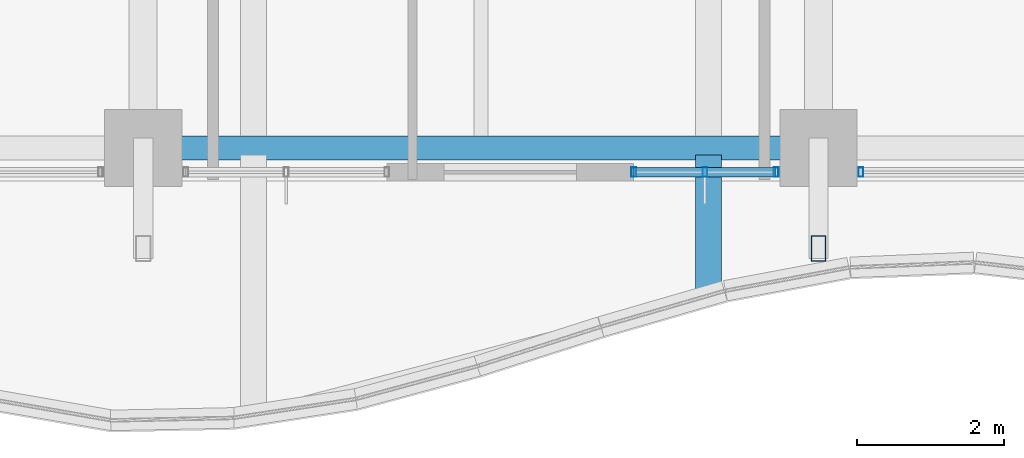
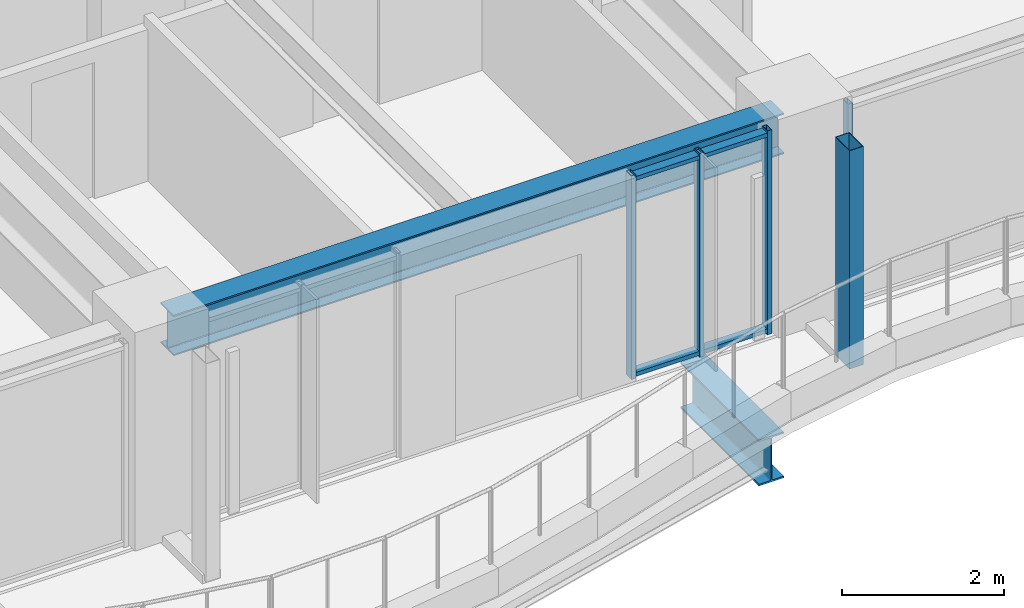
# One storey, part 5 of 31: 7 members, 2 beams, 2 elements without a shape of their own.
"""IFC4 building model written with IfcOpenShell, lengths in metres."""

from ifc_helpers import new_model, si_unit, direction, frame, origin, origin_2d, place, context, subcontext, project, spatial, hollow_rectangle, i_section, extrude, material, material_profile, profile_set, type_object, element, aggregate, save


model = new_model("IFC4")

# Units and contexts
model_context = context("Model", 3, precision=1e-05, world=origin(), true_north=direction((0.0, 1.0)))
body_context = subcontext(model_context, "Body", "Model", "MODEL_VIEW")
ifc_project = project(units=[si_unit("LENGTHUNIT", "METRE"), si_unit("AREAUNIT", "SQUARE_METRE"), si_unit("VOLUMEUNIT", "CUBIC_METRE"), si_unit("PLANEANGLEUNIT", "RADIAN"), si_unit("MASSUNIT", "GRAM", prefix="KILO")], contexts=[model_context])

# Site, building, storey
site_placement = place(None, origin())
site = spatial("IfcSite", under=ifc_project, at=site_placement, CompositionType="ELEMENT")
building_placement = place(site_placement, origin())
building = spatial("IfcBuilding", under=site, at=building_placement, Name="Kolvaren Belvedere", CompositionType="ELEMENT")
storey_placement = place(building_placement, frame((0.0, 0.0, 118.39990234375)))
storey = spatial("IfcBuildingStorey", under=building, at=storey_placement, Name="L34", CompositionType="ELEMENT", Elevation=118.39990234375)

# Beams
ifc_material_1 = material(Name="Structural steel ASTM A992 Grade 50", Category="steel")
ifc_material_profile_1 = material_profile(ifc_material_1, i_section(OverallWidth=0.35498046875, OverallDepth=0.696044921875, WebThickness=0.015380859375, FlangeThickness=0.02490234375, FilletRadius=0.02197265625, at=origin_2d()), Name="W27X146")
ifc_profile_set_1 = profile_set([ifc_material_profile_1], Name="Structural steel ASTM A992 Grade 50")
beam_type_1 = type_object("IfcBeamType", Name="BM-CANT-BAL", PredefinedType="BEAM", material=ifc_profile_set_1)
beam_1_placement = place(storey_placement, frame((3.10009765625, -18.7451171875, -0.56787109375), z_axis=(0.0, -1.0, 0.0), x_axis=(1.0, 0.0, 0.0)))
element("IfcBeam", 1, at=beam_1_placement, inside=storey, type_object=beam_type_1, Name="L34 Planted Balcony Cantilever BAL-S-2", PredefinedType="BEAM", context=body_context, shape_type="SweptSolid", body=[
    extrude(i_section(OverallWidth=0.35498046875, OverallDepth=0.696044921875, WebThickness=0.015380859375, FlangeThickness=0.02490234375, FilletRadius=0.02197265625, at=origin_2d()), origin(), (0.0, 0.0, 1.0), 1.941650390625),
])
ifc_material_2 = material(Name="Structural steel ASTM A992 Grade 50", Category="steel")
ifc_material_profile_2 = material_profile(ifc_material_2, i_section(OverallWidth=0.324951171875, OverallDepth=0.615966796875, WebThickness=0.013916015625, FlangeThickness=0.021484375, FilletRadius=0.02001953125, at=origin_2d()), Name="W24X117")
ifc_profile_set_2 = profile_set([ifc_material_profile_2], Name="Structural steel ASTM A992 Grade 50")
beam_type_2 = type_object("IfcBeamType", Name="BM-SPAN-W24X117", PredefinedType="SPANDREL", material=ifc_profile_set_2)
beam_2_placement = place(storey_placement, frame((-4.36376953125, -18.64990234375, 2.772216796875), z_axis=(1.0, 0.0, 0.0), x_axis=(0.0, 1.0, 0.0)))
element("IfcBeam", 2, at=beam_2_placement, inside=storey, type_object=beam_type_2, Name="L34 Perimeter Spandrel S2-S3", PredefinedType="SPANDREL", context=body_context, shape_type="SweptSolid", body=[
    extrude(i_section(OverallWidth=0.324951171875, OverallDepth=0.615966796875, WebThickness=0.013916015625, FlangeThickness=0.021484375, FilletRadius=0.02001953125, at=origin_2d()), origin(), (0.0, 0.0, 1.0), 8.7275390625),
])

# Curtain wall, member
ifc_material_3 = material(Name="Anodised pale-metal aluminium AA 6063-T6", Category="aluminium")
curtain_wall_type = type_object("IfcCurtainWallType", Name="CW-Z3-WAIST", PredefinedType="NOTDEFINED", material=ifc_material_3)
curtain_wall_1_placement = place(storey_placement, origin())
curtain_wall_1 = element("IfcCurtainWall", 3, at=curtain_wall_1_placement, inside=storey, type_object=curtain_wall_type, Name="L34 Unitised Curtain Wall FCW-L34-S1-B1", PredefinedType="NOTDEFINED")
ifc_material_4 = material(Name="Anodised pale-metal aluminium AA 6063-T6", Category="aluminium")
ifc_material_profile_3 = material_profile(ifc_material_4, hollow_rectangle(XDim=0.06494140625, YDim=0.1298828125, WallThickness=0.00390625, at=origin_2d()), Name="ALU-MUL-130X65")
ifc_profile_set_3 = profile_set([ifc_material_profile_3], Name="Anodised pale-metal aluminium AA 6063-T6")
member_type_1 = type_object("IfcMemberType", Name="CW-MUL-130", PredefinedType="MULLION", material=ifc_profile_set_3)
member_1_placement = place(storey_placement, frame((5.177490234375, -18.97998046875, 0.0), z_axis=(0.0, 0.0, 1.0), x_axis=(1.0, 0.0, 0.0)))
member_1 = element("IfcMember", 4, at=member_1_placement, type_object=member_type_1, Name="FCW-L34-S1-B1 Unitised Mullion 3", PredefinedType="MULLION", context=body_context, shape_type="SweptSolid", body=[
    extrude(hollow_rectangle(XDim=0.06494140625, YDim=0.1298828125, WallThickness=0.00390625, at=origin_2d()), origin(), (0.0, 0.0, 1.0), 3.080078125),
])
aggregate(curtain_wall_1, [member_1])

# Curtain wall, members
curtain_wall_2_placement = place(storey_placement, origin())
curtain_wall_2 = element("IfcCurtainWall", 5, at=curtain_wall_2_placement, inside=storey, type_object=curtain_wall_type, Name="L34 Unitised Curtain Wall FCW-L34-S1-B2", PredefinedType="NOTDEFINED")
member_2_placement = place(storey_placement, frame((4.0224609375, -18.97998046875, 0.0), z_axis=(0.0, 0.0, 1.0), x_axis=(1.0, 0.0, 0.0)))
member_2 = element("IfcMember", 6, at=member_2_placement, type_object=member_type_1, Name="FCW-L34-S1-B2 Unitised Mullion 1", PredefinedType="MULLION", context=body_context, shape_type="SweptSolid", body=[
    extrude(hollow_rectangle(XDim=0.06494140625, YDim=0.1298828125, WallThickness=0.00390625, at=origin_2d()), origin(), (0.0, 0.0, 1.0), 3.080078125),
])
member_3_placement = place(storey_placement, frame((3.05126953125, -18.97998046875, 0.0), z_axis=(0.0, 0.0, 1.0), x_axis=(1.0, 0.0, 0.0)))
member_3 = element("IfcMember", 7, at=member_3_placement, type_object=member_type_1, Name="FCW-L34-S1-B2 Unitised Mullion 2", PredefinedType="MULLION", context=body_context, shape_type="SweptSolid", body=[
    extrude(hollow_rectangle(XDim=0.06494140625, YDim=0.1298828125, WallThickness=0.00390625, at=origin_2d()), origin(), (0.0, 0.0, 1.0), 3.080078125),
])
member_4_placement = place(storey_placement, frame((2.080078125, -18.97998046875, 0.0), z_axis=(0.0, 0.0, 1.0), x_axis=(1.0, 0.0, 0.0)))
member_4 = element("IfcMember", 8, at=member_4_placement, type_object=member_type_1, Name="FCW-L34-S1-B2 Unitised Mullion 3", PredefinedType="MULLION", context=body_context, shape_type="SweptSolid", body=[
    extrude(hollow_rectangle(XDim=0.06494140625, YDim=0.1298828125, WallThickness=0.00390625, at=origin_2d()), origin(), (0.0, 0.0, 1.0), 3.080078125),
])
ifc_material_5 = material(Name="Anodised pale-metal aluminium AA 6063-T6", Category="aluminium")
ifc_material_profile_4 = material_profile(ifc_material_5, hollow_rectangle(XDim=0.06005859375, YDim=0.1298828125, WallThickness=0.00390625, at=origin_2d()), Name="ALU-TRN-130X60")
ifc_profile_set_4 = profile_set([ifc_material_profile_4], Name="Anodised pale-metal aluminium AA 6063-T6")
member_type_2 = type_object("IfcMemberType", Name="CW-TRN-130", PredefinedType="USERDEFINED", material=ifc_profile_set_4)
member_5_placement = place(storey_placement, frame((4.0224609375, -18.97998046875, 0.06005859375), z_axis=(-1.0, 0.0, 0.0), x_axis=(0.0, 0.0, 1.0)))
member_5 = element("IfcMember", 9, at=member_5_placement, type_object=member_type_2, Name="FCW-L34-S1-B2 Sill Transom", ObjectType="TRANSOM", PredefinedType="USERDEFINED", context=body_context, shape_type="SweptSolid", body=[
    extrude(hollow_rectangle(XDim=0.06005859375, YDim=0.1298828125, WallThickness=0.00390625, at=origin_2d()), origin(), (0.0, 0.0, 1.0), 1.9423828125),
])
member_6_placement = place(storey_placement, frame((4.0224609375, -18.97998046875, 3.02001953125), z_axis=(-1.0, 0.0, 0.0), x_axis=(0.0, 0.0, 1.0)))
member_6 = element("IfcMember", 10, at=member_6_placement, type_object=member_type_2, Name="FCW-L34-S1-B2 Head Transom", ObjectType="TRANSOM", PredefinedType="USERDEFINED", context=body_context, shape_type="SweptSolid", body=[
    extrude(hollow_rectangle(XDim=0.06005859375, YDim=0.1298828125, WallThickness=0.00390625, at=origin_2d()), origin(), (0.0, 0.0, 1.0), 1.9423828125),
])
aggregate(curtain_wall_2, [member_2, member_3, member_4, member_5, member_6])

# Member
ifc_material_6 = material(Name="Anodised pale-metal aluminium AA 6063-T6", Category="aluminium")
ifc_material_profile_5 = material_profile(ifc_material_6, hollow_rectangle(XDim=0.199951171875, YDim=0.35009765625, WallThickness=0.007568359375, at=origin_2d()), Name="ALU-PF-350X200")
ifc_profile_set_5 = profile_set([ifc_material_profile_5], Name="Anodised pale-metal aluminium AA 6063-T6")
member_type_3 = type_object("IfcMemberType", Name="PF-FRAME-350", PredefinedType="USERDEFINED", material=ifc_profile_set_5)
member_7_placement = place(storey_placement, frame((4.60009765625, -20.02001953125, 0.0), z_axis=(0.0, 0.0, 1.0), x_axis=(1.0, 0.0, 0.0)))
element("IfcMember", 11, at=member_7_placement, inside=storey, type_object=member_type_3, Name="L34 Outboard Picture-Frame Vertical S1", ObjectType="PICTURE FRAME FIN", PredefinedType="USERDEFINED", context=body_context, shape_type="SweptSolid", body=[
    extrude(hollow_rectangle(XDim=0.199951171875, YDim=0.35009765625, WallThickness=0.007568359375, at=origin_2d()), origin(), (0.0, 0.0, 1.0), 3.300048828125),
])

save(model, "model.ifc")
